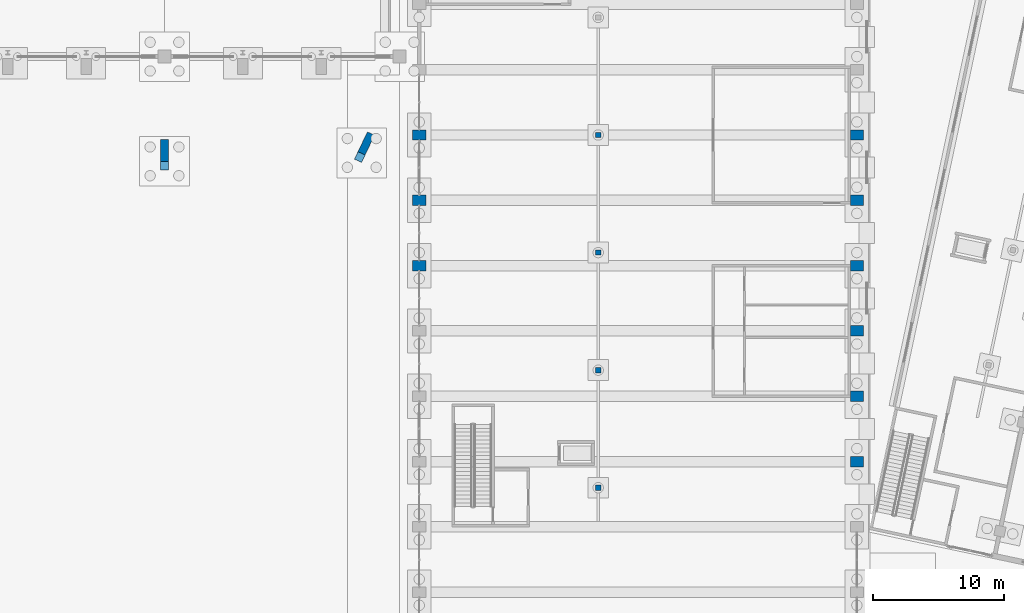
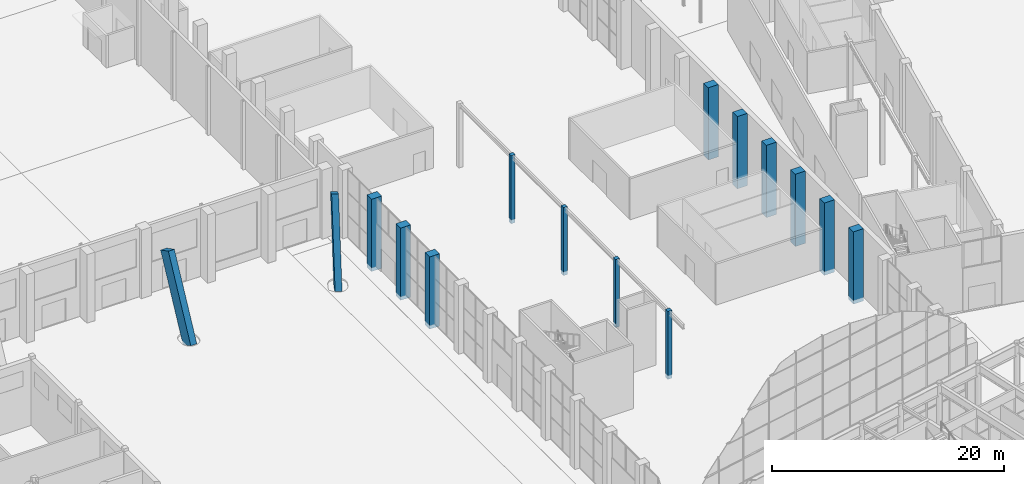
# One storey, part 25 of 239: 15 columns.
"""IFC4 building model written with IfcOpenShell, lengths in metres."""

import ifcopenshell
import ifcopenshell.guid

model = None  # the IFC model being written
_history = None  # IfcOwnerHistory: only IFC2X3 demands one
_inside = {}  # id of a spatial element -> (the spatial element, [elements in it])
_under = {}  # id of a project, library or spatial element -> (it, [spatial elements below it])
_declared = {}  # id of a project -> (the project, [libraries it declares])
_typed = {}  # id of a type object -> (the type object, [elements of that type])
_made_of = {}  # id of a material, layer set ... -> (it, [elements and type objects made of it])


def new_model(schema):
    """Start an empty IFC model of exactly this schema.

    Asked for "IFC4X3", IfcOpenShell would pick the latest addendum, in which some entities
    have other attributes; the version numbers below select the first issue.
    IFC2X3 requires an IfcOwnerHistory on every rooted entity: one is made here for all.
    """
    global model, _history
    if schema == "IFC4X3":
        model = ifcopenshell.file(schema_version=(4, 3, 0, 0))
    else:
        model = ifcopenshell.file(schema=schema)
    _inside.clear()
    _under.clear()
    _declared.clear()
    _typed.clear()
    _made_of.clear()
    _history = None
    if model.schema == "IFC2X3":
        org = make("IfcOrganization", Name="unknown")
        user = make(
            "IfcPersonAndOrganization",
            ThePerson=make("IfcPerson", FamilyName="unknown"),
            TheOrganization=org,
        )
        app = make(
            "IfcApplication",
            ApplicationDeveloper=org,
            Version="unknown",
            ApplicationFullName="unknown",
            ApplicationIdentifier="unknown",
        )
        _history = make(
            "IfcOwnerHistory",
            OwningUser=user,
            OwningApplication=app,
            ChangeAction="ADDED",
            CreationDate=0,
        )
    return model


def make(cls, **values):
    """One entity of the class cls with the attributes given. An attribute that is None is left unset."""
    return model.create_entity(
        cls, **{name: value for name, value in values.items() if value is not None}
    )


def rooted(cls, **values):
    """An entity with a GlobalId (a new one), such as an element, a storey or a relation."""
    return make(cls, GlobalId=ifcopenshell.guid.new(), OwnerHistory=_history, **values)


def si_unit(unit_type, name, prefix=None):
    """IfcSIUnit, for example si_unit("LENGTHUNIT", "METRE", prefix="MILLI")."""
    return make("IfcSIUnit", UnitType=unit_type, Prefix=prefix, Name=name)


def assignment(units):
    """IfcUnitAssignment: the units of a project."""
    return None if units is None else make("IfcUnitAssignment", Units=units)


def point(xyz):
    """IfcCartesianPoint."""
    return None if xyz is None else make("IfcCartesianPoint", Coordinates=xyz)


def direction(xyz):
    """IfcDirection."""
    return None if xyz is None else make("IfcDirection", DirectionRatios=xyz)


def frame(location, z_axis=None, x_axis=None):
    """IfcAxis2Placement3D, a coordinate frame: its origin and axes. An axis left out is left unset."""
    return make(
        "IfcAxis2Placement3D",
        Location=point(location),
        Axis=direction(z_axis),
        RefDirection=direction(x_axis),
    )


def frame_2d(location, x_axis=None):
    """IfcAxis2Placement2D, a coordinate frame in the plane: its origin and x axis."""
    return make(
        "IfcAxis2Placement2D", Location=point(location), RefDirection=direction(x_axis)
    )


def origin():
    """The frame at (0, 0, 0) with its axes left unset."""
    return frame((0.0, 0.0, 0.0))


def origin_2d():
    """The frame at (0, 0) in the plane with its x axis left unset."""
    return frame_2d((0.0, 0.0))


def place(relative_to, where):
    """IfcLocalPlacement: puts the frame where relative to a parent placement (None: the world)."""
    return make(
        "IfcLocalPlacement", PlacementRelTo=relative_to, RelativePlacement=where
    )


def context(
    kind, dimensions, precision=None, world=None, true_north=None, identifier=None
):
    """IfcGeometricRepresentationContext, for example the 3D "Model" context."""
    return make(
        "IfcGeometricRepresentationContext",
        ContextIdentifier=identifier,
        ContextType=kind,
        CoordinateSpaceDimension=dimensions,
        Precision=precision,
        WorldCoordinateSystem=world,
        TrueNorth=true_north,
    )


def subcontext(parent, identifier, kind, view, scale=None):
    """IfcGeometricRepresentationSubContext, for example "Body" below "Model"."""
    return make(
        "IfcGeometricRepresentationSubContext",
        ContextIdentifier=identifier,
        ContextType=kind,
        ParentContext=parent,
        TargetScale=scale,
        TargetView=view,
    )


def project(units=None, contexts=None):
    """IfcProject with its units and contexts."""
    return rooted(
        "IfcProject",
        Name="project",
        RepresentationContexts=contexts,
        UnitsInContext=assignment(units),
    )


def spatial(cls, under=None, at=None, **own):
    """A site, building, storey or space (cls), placed at a placement, below another one or the project."""
    s = rooted(cls, ObjectPlacement=at, **own)
    if under is not None:
        _under.setdefault(under.id(), (under, []))[1].append(s)
    return s


def profile(cls, at=None, kind="AREA", **sizes):
    """A parametric profile (cls). Its sizes go by their IFC names, for example OverallWidth=200.0."""
    return make(cls, ProfileType=kind, Position=at, **sizes)


def rectangle(**sizes):
    """IfcRectangleProfileDef."""
    return profile("IfcRectangleProfileDef", **sizes)


def extrude(swept, where, along, depth):
    """IfcExtrudedAreaSolid: the profile swept, set in the frame where, extruded along a direction by depth."""
    return make(
        "IfcExtrudedAreaSolid",
        SweptArea=swept,
        Position=where,
        ExtrudedDirection=direction(along),
        Depth=depth,
    )


def shape(context_of_items, identifier, shape_type, items):
    """IfcShapeRepresentation: the items that make up one representation, for example the "Body"."""
    return make(
        "IfcShapeRepresentation",
        ContextOfItems=context_of_items,
        RepresentationIdentifier=identifier,
        RepresentationType=shape_type,
        Items=items,
    )


def material(Name=None, Category=None):
    """IfcMaterial."""
    return make("IfcMaterial", Name=Name, Category=Category)


def material_profile(
    of_material, cross_section, Name=None, Category=None, Priority=None
):
    """IfcMaterialProfile: a cross section and its material."""
    return make(
        "IfcMaterialProfile",
        Name=Name,
        Material=of_material,
        Profile=cross_section,
        Priority=Priority,
        Category=Category,
    )


def profile_set(profiles, Name=None, composite=None):
    """IfcMaterialProfileSet."""
    return make(
        "IfcMaterialProfileSet",
        Name=Name,
        MaterialProfiles=profiles,
        CompositeProfile=composite,
    )


def made_of(thing, what):
    """Note that an element or type object is made of a material, layer set ...; save() writes the relation."""
    if what is not None:
        _made_of.setdefault(what.id(), (what, []))[1].append(thing)
    return thing


def type_object(cls, material=None, **own):
    """A type object (cls), such as IfcWallType, which elements share."""
    return made_of(rooted(cls, **own), material)


def element(
    cls,
    number,
    at=None,
    inside=None,
    cuts=None,
    type_object=None,
    material=None,
    context=None,
    identifier="Body",
    shape_type=None,
    held_by="IfcProductDefinitionShape",
    body=None,
    shapes=None,
    **own,
):
    """One element of the class cls, such as IfcWall. Its Tag is "e" and its number.

    at: its placement. inside: the storey or other place that contains it. cuts: it is an
    opening in that element (IfcRelVoidsElement). A single representation is given by context,
    identifier, shape_type and body (its items); several are given by shapes. held_by: the class
    of the entity that holds the representations. save() writes the other relations.
    """
    e = rooted(cls, Tag="e%d" % number, ObjectPlacement=at, **own)
    if body is not None:
        shapes = [shape(context, identifier, shape_type, body)]
    if shapes is not None:
        e.Representation = make(held_by, Representations=shapes)
    if inside is not None:
        _inside.setdefault(inside.id(), (inside, []))[1].append(e)
    if cuts is not None:
        rooted(
            "IfcRelVoidsElement", RelatingBuildingElement=cuts, RelatedOpeningElement=e
        )
    if type_object is not None:
        _typed.setdefault(type_object.id(), (type_object, []))[1].append(e)
    return made_of(e, material)


def aggregate(whole, parts):
    """IfcRelAggregates: a whole, such as a stair, and the parts it consists of."""
    return rooted("IfcRelAggregates", RelatingObject=whole, RelatedObjects=parts)


def save(model, path):
    """Write the relations noted so far, then the file.

    IfcRelAggregates (storeys below a building ...), IfcRelContainedInSpatialStructure (elements
    in a storey), IfcRelDefinesByType, IfcRelAssociatesMaterial and IfcRelDeclares: one each for
    every whole, place, type object, material and project.
    """
    for whole, parts in _under.values():
        aggregate(whole, parts)
    for where, things in _inside.values():
        rooted(
            "IfcRelContainedInSpatialStructure",
            RelatedElements=things,
            RelatingStructure=where,
        )
    for kind, things in _typed.values():
        rooted("IfcRelDefinesByType", RelatedObjects=things, RelatingType=kind)
    for what, things in _made_of.values():
        rooted("IfcRelAssociatesMaterial", RelatedObjects=things, RelatingMaterial=what)
    for by, libraries in _declared.values():
        rooted("IfcRelDeclares", RelatingContext=by, RelatedDefinitions=libraries)
    model.write(path)


model = new_model("IFC4")

# Units and contexts
model_context = context("Model", 3, precision=1e-05, world=origin(), true_north=direction((0.0, 1.0)))
body_context = subcontext(model_context, "Body", "Model", "MODEL_VIEW")
ifc_project = project(units=[si_unit("LENGTHUNIT", "METRE"), si_unit("AREAUNIT", "SQUARE_METRE"), si_unit("VOLUMEUNIT", "CUBIC_METRE"), si_unit("PLANEANGLEUNIT", "RADIAN"), si_unit("MASSUNIT", "GRAM", prefix="KILO")], contexts=[model_context])

# Site, building, storey
site_placement = place(None, origin())
site = spatial("IfcSite", under=ifc_project, at=site_placement, CompositionType="ELEMENT")
building_placement = place(site_placement, origin())
building = spatial("IfcBuilding", under=site, at=building_placement, Name="Okhra Congress Centre", CompositionType="ELEMENT")
storey_placement = place(building_placement, origin())
storey = spatial("IfcBuildingStorey", under=building, at=storey_placement, Name="L00", CompositionType="ELEMENT", Elevation=0.0)

# Columns
ifc_material_1 = material(Name="Concrete C40/50", Category="concrete")
ifc_material_profile_1 = material_profile(ifc_material_1, rectangle(XDim=0.39990234375, YDim=0.39990234375, at=origin_2d()), Name="RC 400x400")
ifc_profile_set_1 = profile_set([ifc_material_profile_1], Name="Concrete C40/50")
column_type_1 = type_object("IfcColumnType", Name="RC column 400x400 C40/50", PredefinedType="COLUMN", material=ifc_profile_set_1)
for number, where, z_axis, x_axis, name in (
    (1, (169.199951171875, 99.0, -0.39990234375), (0.0, 0.0, 1.0), (1.0, 0.0, 0.0), "Gallery column 1"),
    (2, (169.199951171875, 108.0, -0.39990234375), (0.0, 0.0, 1.0), (1.0, 0.0, 0.0), "Gallery column 2"),
    (3, (169.199951171875, 117.0, -0.39990234375), (0.0, 0.0, 1.0), (1.0, 0.0, 0.0), "Gallery column 3"),
    (4, (169.199951171875, 126.0, -0.39990234375), (0.0, 0.0, 1.0), (1.0, 0.0, 0.0), "Gallery column 4"),
):
    element("IfcColumn", number, at=place(storey_placement, frame(where, z_axis=z_axis, x_axis=x_axis)), inside=storey, type_object=column_type_1, Name=name, PredefinedType="COLUMN", context=body_context, shape_type="SweptSolid", body=[
        extrude(rectangle(XDim=0.39990234375, YDim=0.39990234375, at=origin_2d()), origin(), (0.0, 0.0, 1.0), 7.14990234375),
    ])
ifc_material_profile_2 = material_profile(ifc_material_1, rectangle(XDim=1.0, YDim=0.800048828125, at=origin_2d()), Name="RC 1000x800")
ifc_profile_set_2 = profile_set([ifc_material_profile_2], Name="Concrete C40/50")
column_type_2 = type_object("IfcColumnType", Name="RC pier 1000x800 C40/50", PredefinedType="COLUMN", material=ifc_profile_set_2)
for number, where, z_axis, x_axis, name in (
    (5, (189.0, 101.0, -0.39990234375), (0.0, 0.0, 1.0), (1.0, 0.0, 0.0), "WG.COL.L00.pier-E05"),
    (6, (189.0, 106.0, -0.39990234375), (0.0, 0.0, 1.0), (1.0, 0.0, 0.0), "WG.COL.L00.pier-E06"),
    (7, (189.0, 111.0, -0.39990234375), (0.0, 0.0, 1.0), (1.0, 0.0, 0.0), "WG.COL.L00.pier-E07"),
    (8, (155.5, 116.0, -0.39990234375), (0.0, 0.0, 1.0), (1.0, 0.0, 0.0), "WG.COL.L00.pier-W08"),
    (9, (189.0, 116.0, -0.39990234375), (0.0, 0.0, 1.0), (1.0, 0.0, 0.0), "WG.COL.L00.pier-E08"),
    (10, (155.5, 121.0, -0.39990234375), (0.0, 0.0, 1.0), (1.0, 0.0, 0.0), "WG.COL.L00.pier-W09"),
    (11, (189.0, 121.0, -0.39990234375), (0.0, 0.0, 1.0), (1.0, 0.0, 0.0), "WG.COL.L00.pier-E09"),
    (12, (155.5, 126.0, -0.39990234375), (0.0, 0.0, 1.0), (1.0, 0.0, 0.0), "WG.COL.L00.pier-W10"),
    (13, (189.0, 126.0, -0.39990234375), (0.0, 0.0, 1.0), (1.0, 0.0, 0.0), "WG.COL.L00.pier-E10"),
):
    element("IfcColumn", number, at=place(storey_placement, frame(where, z_axis=z_axis, x_axis=x_axis)), inside=storey, type_object=column_type_2, Name=name, PredefinedType="COLUMN", context=body_context, shape_type="SweptSolid", body=[
        extrude(rectangle(XDim=1.0, YDim=0.800048828125, at=origin_2d()), origin(), (0.0, 0.0, 1.0), 7.599853515625),
    ])
ifc_material_2 = material(Name="Concrete C35/45", Category="concrete")
ifc_material_profile_3 = material_profile(ifc_material_2, rectangle(XDim=0.60009765625, YDim=1.5, at=origin_2d()), Name="RC 600x1500")
ifc_profile_set_3 = profile_set([ifc_material_profile_3], Name="Concrete C35/45")
column_type_3 = type_object("IfcColumnType", Name="Raking buttress pier RC 600x1500 C35/45", PredefinedType="COLUMN", material=ifc_profile_set_3)
column_1_placement = place(storey_placement, frame((136.0, 123.9833984375, -0.39990234375), z_axis=(0.0, 0.454012820329, 0.890995150928), x_axis=(-1.0, 0.0, 0.0)))
element("IfcColumn", 14, at=column_1_placement, inside=storey, type_object=column_type_3, Name="Buttress pier 7", PredefinedType="COLUMN", context=body_context, shape_type="SweptSolid", body=[
    extrude(rectangle(XDim=0.60009765625, YDim=1.5, at=origin_2d()), origin(), (0.0, 0.0, 1.0), 8.529541015625),
])
column_2_placement = place(storey_placement, frame((151.10009765625, 124.627685546875, -0.39990234375), z_axis=(0.19285607565, 0.404664654268, 0.893897674049), x_axis=(-0.902723118323, 0.430222002743, 0.0)))
element("IfcColumn", 15, at=column_2_placement, inside=storey, type_object=column_type_3, Name="Buttress pier 8", PredefinedType="COLUMN", context=body_context, shape_type="SweptSolid", body=[
    extrude(rectangle(XDim=0.60009765625, YDim=1.5, at=origin_2d()), origin(), (0.0, 0.0, 1.0), 8.501953125),
])

save(model, "model.ifc")
